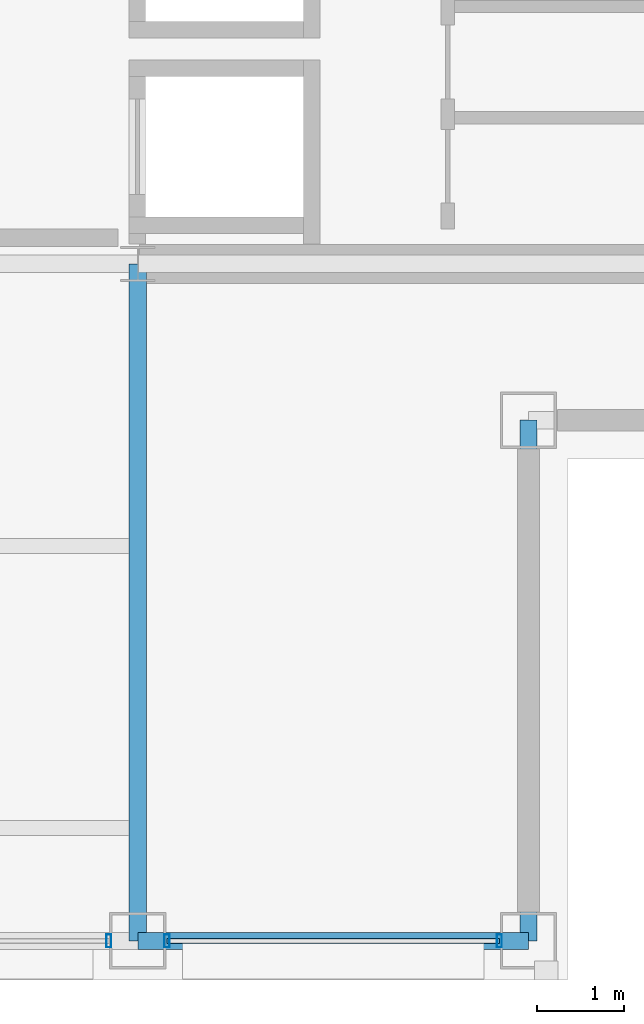
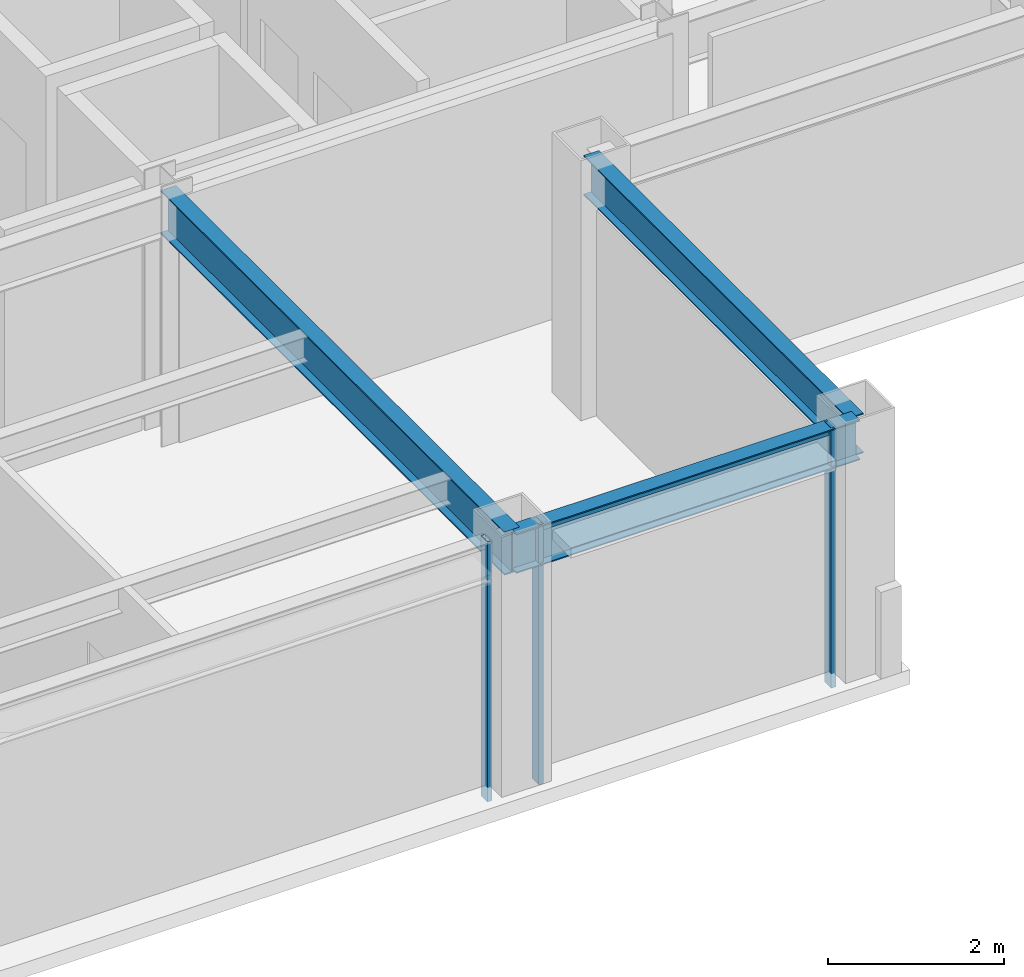
# One storey, part 5 of 24: 4 members, 3 beams, 2 elements without a shape of their own.
"""IFC4 building model written with IfcOpenShell, lengths in metres."""

import ifcopenshell
import ifcopenshell.guid

model = None  # the IFC model being written
_history = None  # IfcOwnerHistory: only IFC2X3 demands one
_inside = {}  # id of a spatial element -> (the spatial element, [elements in it])
_under = {}  # id of a project, library or spatial element -> (it, [spatial elements below it])
_declared = {}  # id of a project -> (the project, [libraries it declares])
_typed = {}  # id of a type object -> (the type object, [elements of that type])
_made_of = {}  # id of a material, layer set ... -> (it, [elements and type objects made of it])


def new_model(schema):
    """Start an empty IFC model of exactly this schema.

    Asked for "IFC4X3", IfcOpenShell would pick the latest addendum, in which some entities
    have other attributes; the version numbers below select the first issue.
    IFC2X3 requires an IfcOwnerHistory on every rooted entity: one is made here for all.
    """
    global model, _history
    if schema == "IFC4X3":
        model = ifcopenshell.file(schema_version=(4, 3, 0, 0))
    else:
        model = ifcopenshell.file(schema=schema)
    _inside.clear()
    _under.clear()
    _declared.clear()
    _typed.clear()
    _made_of.clear()
    _history = None
    if model.schema == "IFC2X3":
        org = make("IfcOrganization", Name="unknown")
        user = make(
            "IfcPersonAndOrganization",
            ThePerson=make("IfcPerson", FamilyName="unknown"),
            TheOrganization=org,
        )
        app = make(
            "IfcApplication",
            ApplicationDeveloper=org,
            Version="unknown",
            ApplicationFullName="unknown",
            ApplicationIdentifier="unknown",
        )
        _history = make(
            "IfcOwnerHistory",
            OwningUser=user,
            OwningApplication=app,
            ChangeAction="ADDED",
            CreationDate=0,
        )
    return model


def make(cls, **values):
    """One entity of the class cls with the attributes given. An attribute that is None is left unset."""
    return model.create_entity(
        cls, **{name: value for name, value in values.items() if value is not None}
    )


def rooted(cls, **values):
    """An entity with a GlobalId (a new one), such as an element, a storey or a relation."""
    return make(cls, GlobalId=ifcopenshell.guid.new(), OwnerHistory=_history, **values)


def si_unit(unit_type, name, prefix=None):
    """IfcSIUnit, for example si_unit("LENGTHUNIT", "METRE", prefix="MILLI")."""
    return make("IfcSIUnit", UnitType=unit_type, Prefix=prefix, Name=name)


def assignment(units):
    """IfcUnitAssignment: the units of a project."""
    return None if units is None else make("IfcUnitAssignment", Units=units)


def point(xyz):
    """IfcCartesianPoint."""
    return None if xyz is None else make("IfcCartesianPoint", Coordinates=xyz)


def direction(xyz):
    """IfcDirection."""
    return None if xyz is None else make("IfcDirection", DirectionRatios=xyz)


def frame(location, z_axis=None, x_axis=None):
    """IfcAxis2Placement3D, a coordinate frame: its origin and axes. An axis left out is left unset."""
    return make(
        "IfcAxis2Placement3D",
        Location=point(location),
        Axis=direction(z_axis),
        RefDirection=direction(x_axis),
    )


def frame_2d(location, x_axis=None):
    """IfcAxis2Placement2D, a coordinate frame in the plane: its origin and x axis."""
    return make(
        "IfcAxis2Placement2D", Location=point(location), RefDirection=direction(x_axis)
    )


def origin():
    """The frame at (0, 0, 0) with its axes left unset."""
    return frame((0.0, 0.0, 0.0))


def origin_2d():
    """The frame at (0, 0) in the plane with its x axis left unset."""
    return frame_2d((0.0, 0.0))


def place(relative_to, where):
    """IfcLocalPlacement: puts the frame where relative to a parent placement (None: the world)."""
    return make(
        "IfcLocalPlacement", PlacementRelTo=relative_to, RelativePlacement=where
    )


def context(
    kind, dimensions, precision=None, world=None, true_north=None, identifier=None
):
    """IfcGeometricRepresentationContext, for example the 3D "Model" context."""
    return make(
        "IfcGeometricRepresentationContext",
        ContextIdentifier=identifier,
        ContextType=kind,
        CoordinateSpaceDimension=dimensions,
        Precision=precision,
        WorldCoordinateSystem=world,
        TrueNorth=true_north,
    )


def subcontext(parent, identifier, kind, view, scale=None):
    """IfcGeometricRepresentationSubContext, for example "Body" below "Model"."""
    return make(
        "IfcGeometricRepresentationSubContext",
        ContextIdentifier=identifier,
        ContextType=kind,
        ParentContext=parent,
        TargetScale=scale,
        TargetView=view,
    )


def project(units=None, contexts=None):
    """IfcProject with its units and contexts."""
    return rooted(
        "IfcProject",
        Name="project",
        RepresentationContexts=contexts,
        UnitsInContext=assignment(units),
    )


def spatial(cls, under=None, at=None, **own):
    """A site, building, storey or space (cls), placed at a placement, below another one or the project."""
    s = rooted(cls, ObjectPlacement=at, **own)
    if under is not None:
        _under.setdefault(under.id(), (under, []))[1].append(s)
    return s


def profile(cls, at=None, kind="AREA", **sizes):
    """A parametric profile (cls). Its sizes go by their IFC names, for example OverallWidth=200.0."""
    return make(cls, ProfileType=kind, Position=at, **sizes)


def hollow_rectangle(**sizes):
    """IfcRectangleHollowProfileDef."""
    return profile("IfcRectangleHollowProfileDef", **sizes)


def i_section(**sizes):
    """IfcIShapeProfileDef."""
    return profile("IfcIShapeProfileDef", **sizes)


def extrude(swept, where, along, depth):
    """IfcExtrudedAreaSolid: the profile swept, set in the frame where, extruded along a direction by depth."""
    return make(
        "IfcExtrudedAreaSolid",
        SweptArea=swept,
        Position=where,
        ExtrudedDirection=direction(along),
        Depth=depth,
    )


def shape(context_of_items, identifier, shape_type, items):
    """IfcShapeRepresentation: the items that make up one representation, for example the "Body"."""
    return make(
        "IfcShapeRepresentation",
        ContextOfItems=context_of_items,
        RepresentationIdentifier=identifier,
        RepresentationType=shape_type,
        Items=items,
    )


def material(Name=None, Category=None):
    """IfcMaterial."""
    return make("IfcMaterial", Name=Name, Category=Category)


def layer(
    of_material, thickness, ventilated=None, Name=None, Category=None, Priority=None
):
    """IfcMaterialLayer: one layer of a wall or slab, of a material (None: an air gap)."""
    return make(
        "IfcMaterialLayer",
        Material=of_material,
        LayerThickness=thickness,
        IsVentilated=ventilated,
        Name=Name,
        Category=Category,
        Priority=Priority,
    )


def layer_set(layers, Name=None):
    """IfcMaterialLayerSet."""
    return make("IfcMaterialLayerSet", MaterialLayers=layers, LayerSetName=Name)


def material_profile(
    of_material, cross_section, Name=None, Category=None, Priority=None
):
    """IfcMaterialProfile: a cross section and its material."""
    return make(
        "IfcMaterialProfile",
        Name=Name,
        Material=of_material,
        Profile=cross_section,
        Priority=Priority,
        Category=Category,
    )


def profile_set(profiles, Name=None, composite=None):
    """IfcMaterialProfileSet."""
    return make(
        "IfcMaterialProfileSet",
        Name=Name,
        MaterialProfiles=profiles,
        CompositeProfile=composite,
    )


def made_of(thing, what):
    """Note that an element or type object is made of a material, layer set ...; save() writes the relation."""
    if what is not None:
        _made_of.setdefault(what.id(), (what, []))[1].append(thing)
    return thing


def type_object(cls, material=None, **own):
    """A type object (cls), such as IfcWallType, which elements share."""
    return made_of(rooted(cls, **own), material)


def element(
    cls,
    number,
    at=None,
    inside=None,
    cuts=None,
    type_object=None,
    material=None,
    context=None,
    identifier="Body",
    shape_type=None,
    held_by="IfcProductDefinitionShape",
    body=None,
    shapes=None,
    **own,
):
    """One element of the class cls, such as IfcWall. Its Tag is "e" and its number.

    at: its placement. inside: the storey or other place that contains it. cuts: it is an
    opening in that element (IfcRelVoidsElement). A single representation is given by context,
    identifier, shape_type and body (its items); several are given by shapes. held_by: the class
    of the entity that holds the representations. save() writes the other relations.
    """
    e = rooted(cls, Tag="e%d" % number, ObjectPlacement=at, **own)
    if body is not None:
        shapes = [shape(context, identifier, shape_type, body)]
    if shapes is not None:
        e.Representation = make(held_by, Representations=shapes)
    if inside is not None:
        _inside.setdefault(inside.id(), (inside, []))[1].append(e)
    if cuts is not None:
        rooted(
            "IfcRelVoidsElement", RelatingBuildingElement=cuts, RelatedOpeningElement=e
        )
    if type_object is not None:
        _typed.setdefault(type_object.id(), (type_object, []))[1].append(e)
    return made_of(e, material)


def aggregate(whole, parts):
    """IfcRelAggregates: a whole, such as a stair, and the parts it consists of."""
    return rooted("IfcRelAggregates", RelatingObject=whole, RelatedObjects=parts)


def save(model, path):
    """Write the relations noted so far, then the file.

    IfcRelAggregates (storeys below a building ...), IfcRelContainedInSpatialStructure (elements
    in a storey), IfcRelDefinesByType, IfcRelAssociatesMaterial and IfcRelDeclares: one each for
    every whole, place, type object, material and project.
    """
    for whole, parts in _under.values():
        aggregate(whole, parts)
    for where, things in _inside.values():
        rooted(
            "IfcRelContainedInSpatialStructure",
            RelatedElements=things,
            RelatingStructure=where,
        )
    for kind, things in _typed.values():
        rooted("IfcRelDefinesByType", RelatedObjects=things, RelatingType=kind)
    for what, things in _made_of.values():
        rooted("IfcRelAssociatesMaterial", RelatedObjects=things, RelatingMaterial=what)
    for by, libraries in _declared.values():
        rooted("IfcRelDeclares", RelatingContext=by, RelatedDefinitions=libraries)
    model.write(path)


model = new_model("IFC4")

# Units and contexts
model_context = context("Model", 3, precision=1e-05, world=origin(), true_north=direction((0.0, 1.0)))
body_context = subcontext(model_context, "Body", "Model", "MODEL_VIEW")
ifc_project = project(units=[si_unit("LENGTHUNIT", "METRE"), si_unit("AREAUNIT", "SQUARE_METRE"), si_unit("VOLUMEUNIT", "CUBIC_METRE"), si_unit("PLANEANGLEUNIT", "RADIAN"), si_unit("MASSUNIT", "GRAM", prefix="KILO")], contexts=[model_context])

# Site, building, storey
site_placement = place(None, origin())
site = spatial("IfcSite", under=ifc_project, at=site_placement, CompositionType="ELEMENT")
building_placement = place(site_placement, origin())
building = spatial("IfcBuilding", under=site, at=building_placement, Name="Brelmoor Portico Tower", CompositionType="ELEMENT")
storey_placement = place(building_placement, frame((0.0, 0.0, 240.0)))
storey = spatial("IfcBuildingStorey", under=building, at=storey_placement, Name="L63", CompositionType="ELEMENT", Elevation=240.0)

# Beams
ifc_material_1 = material(Name="Steel Q355B", Category="steel")
ifc_material_profile_1 = material_profile(ifc_material_1, i_section(OverallWidth=0.199951171875, OverallDepth=0.60009765625, WebThickness=0.010986328125, FlangeThickness=0.01708984375, at=origin_2d()), Name="HN 600x200x11x17")
ifc_profile_set_1 = profile_set([ifc_material_profile_1], Name="Steel Q355B")
beam_type_1 = type_object("IfcBeamType", Name="BM-PG-600", PredefinedType="BEAM", material=ifc_profile_set_1)
beam_1_placement = place(storey_placement, frame((8.050048828125, -17.550048828125, 3.10009765625), z_axis=(0.0, 1.0, 0.0), x_axis=(-1.0, 0.0, 0.0)))
element("IfcBeam", 1, at=beam_1_placement, inside=storey, type_object=beam_type_1, Name="L63 Primary Floor Girder PG-06", PredefinedType="BEAM", context=body_context, shape_type="SweptSolid", body=[
    extrude(i_section(OverallWidth=0.199951171875, OverallDepth=0.60009765625, WebThickness=0.010986328125, FlangeThickness=0.01708984375, at=origin_2d()), origin(), (0.0, 0.0, 1.0), 7.800048828125),
])
ifc_material_profile_2 = material_profile(ifc_material_1, i_section(OverallWidth=0.199951171875, OverallDepth=0.550048828125, WebThickness=0.010009765625, FlangeThickness=0.01611328125, at=origin_2d()), Name="HN 550x200x10x16")
ifc_profile_set_2 = profile_set([ifc_material_profile_2], Name="Steel Q355B")
beam_type_2 = type_object("IfcBeamType", Name="BM-SP-550", PredefinedType="SPANDREL", material=ifc_profile_set_2)
beam_2_placement = place(storey_placement, frame((8.050048828125, -17.550048828125, 3.125), z_axis=(1.0, 0.0, 0.0), x_axis=(0.0, 1.0, 0.0)))
element("IfcBeam", 2, at=beam_2_placement, inside=storey, type_object=beam_type_2, Name="L63 Perimeter Spandrel Beam SP-03", PredefinedType="SPANDREL", context=body_context, shape_type="SweptSolid", body=[
    extrude(i_section(OverallWidth=0.199951171875, OverallDepth=0.550048828125, WebThickness=0.010009765625, FlangeThickness=0.01611328125, at=origin_2d()), origin(), (0.0, 0.0, 1.0), 4.5),
])
beam_3_placement = place(storey_placement, frame((12.550048828125, -17.550048828125, 3.125), z_axis=(0.0, 1.0, 0.0), x_axis=(-1.0, 0.0, 0.0)))
element("IfcBeam", 3, at=beam_3_placement, inside=storey, type_object=beam_type_2, Name="L63 Perimeter Spandrel Beam SP-16", PredefinedType="SPANDREL", context=body_context, shape_type="SweptSolid", body=[
    extrude(i_section(OverallWidth=0.199951171875, OverallDepth=0.550048828125, WebThickness=0.010009765625, FlangeThickness=0.01611328125, at=origin_2d()), origin(), (0.0, 0.0, 1.0), 6.0),
])

# Curtain wall, member
ifc_material_2 = material(Name="Anodised Aluminium Alloy 6063-T6", Category="aluminium")
ifc_layer = layer(ifc_material_2, 0.179931640625)
ifc_layer_set = layer_set([ifc_layer], Name="Anodised Aluminium Alloy 6063-T6")
curtain_wall_type = type_object("IfcCurtainWallType", Name="CW-TOWER-Z4-XB", PredefinedType="NOTDEFINED", material=ifc_layer_set)
curtain_wall_1_placement = place(storey_placement, origin())
curtain_wall_1 = element("IfcCurtainWall", 4, at=curtain_wall_1_placement, inside=storey, type_object=curtain_wall_type, Name="L63 Curtain Wall CW-L63-01-2", PredefinedType="NOTDEFINED")
ifc_material_profile_3 = material_profile(ifc_material_2, hollow_rectangle(XDim=0.06005859375, YDim=0.14990234375, WallThickness=0.00390625, at=origin_2d()), Name="ALU MULLION 60x150")
ifc_profile_set_3 = profile_set([ifc_material_profile_3], Name="Anodised Aluminium Alloy 6063-T6")
member_type_1 = type_object("IfcMemberType", Name="MB-CW-MULL-150", PredefinedType="MULLION", material=ifc_profile_set_3)
member_1_placement = place(storey_placement, frame((7.715087890625, -17.550048828125, -0.199951171875), z_axis=(0.0, 0.0, 1.0), x_axis=(1.0, 0.0, 0.0)))
member_1 = element("IfcMember", 5, at=member_1_placement, type_object=member_type_1, Name="CW-L63-01-2 Mullion 01", PredefinedType="MULLION", context=body_context, shape_type="SweptSolid", body=[
    extrude(hollow_rectangle(XDim=0.06005859375, YDim=0.14990234375, WallThickness=0.00390625, at=origin_2d()), origin(), (0.0, 0.0, 1.0), 3.599853515625),
])
aggregate(curtain_wall_1, [member_1])

# Curtain wall, members
curtain_wall_2_placement = place(storey_placement, origin())
curtain_wall_2 = element("IfcCurtainWall", 6, at=curtain_wall_2_placement, inside=storey, type_object=curtain_wall_type, Name="L63 Curtain Wall CW-L63-01-3", PredefinedType="NOTDEFINED")
member_2_placement = place(storey_placement, frame((8.385009765625, -17.550048828125, -0.199951171875), z_axis=(0.0, 0.0, 1.0), x_axis=(1.0, 0.0, 0.0)))
member_2 = element("IfcMember", 7, at=member_2_placement, type_object=member_type_1, Name="CW-L63-01-3 Mullion 00", PredefinedType="MULLION", context=body_context, shape_type="SweptSolid", body=[
    extrude(hollow_rectangle(XDim=0.06005859375, YDim=0.14990234375, WallThickness=0.00390625, at=origin_2d()), origin(), (0.0, 0.0, 1.0), 3.599853515625),
])
member_3_placement = place(storey_placement, frame((12.215087890625, -17.550048828125, -0.199951171875), z_axis=(0.0, 0.0, 1.0), x_axis=(1.0, 0.0, 0.0)))
member_3 = element("IfcMember", 8, at=member_3_placement, type_object=member_type_1, Name="CW-L63-01-3 Mullion 01", PredefinedType="MULLION", context=body_context, shape_type="SweptSolid", body=[
    extrude(hollow_rectangle(XDim=0.06005859375, YDim=0.14990234375, WallThickness=0.00390625, at=origin_2d()), origin(), (0.0, 0.0, 1.0), 3.599853515625),
])
ifc_material_profile_4 = material_profile(ifc_material_2, hollow_rectangle(XDim=0.06005859375, YDim=0.125, WallThickness=0.00341796875, at=origin_2d()), Name="ALU TRANSOM 60x125")
ifc_profile_set_4 = profile_set([ifc_material_profile_4], Name="Anodised Aluminium Alloy 6063-T6")
member_type_2 = type_object("IfcMemberType", Name="MB-CW-TRAN-125", PredefinedType="USERDEFINED", material=ifc_profile_set_4)
member_4_placement = place(storey_placement, frame((8.385009765625, -17.550048828125, 3.33740234375), z_axis=(1.0, 0.0, 0.0), x_axis=(0.0, 1.0, 0.0)))
member_4 = element("IfcMember", 9, at=member_4_placement, type_object=member_type_2, Name="CW-L63-01-3 Transom 1-00", ObjectType="TRANSOM", PredefinedType="USERDEFINED", context=body_context, shape_type="SweptSolid", body=[
    extrude(hollow_rectangle(XDim=0.06005859375, YDim=0.125, WallThickness=0.00341796875, at=origin_2d()), origin(), (0.0, 0.0, 1.0), 3.830078125),
])
aggregate(curtain_wall_2, [member_2, member_3, member_4])

save(model, "model.ifc")
